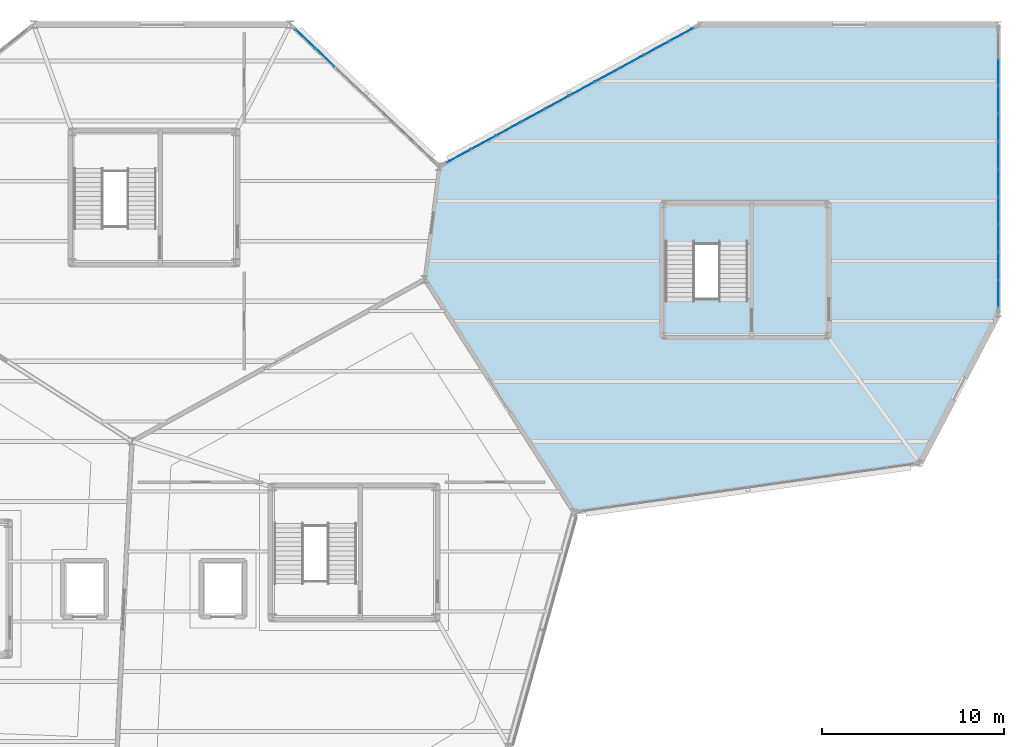
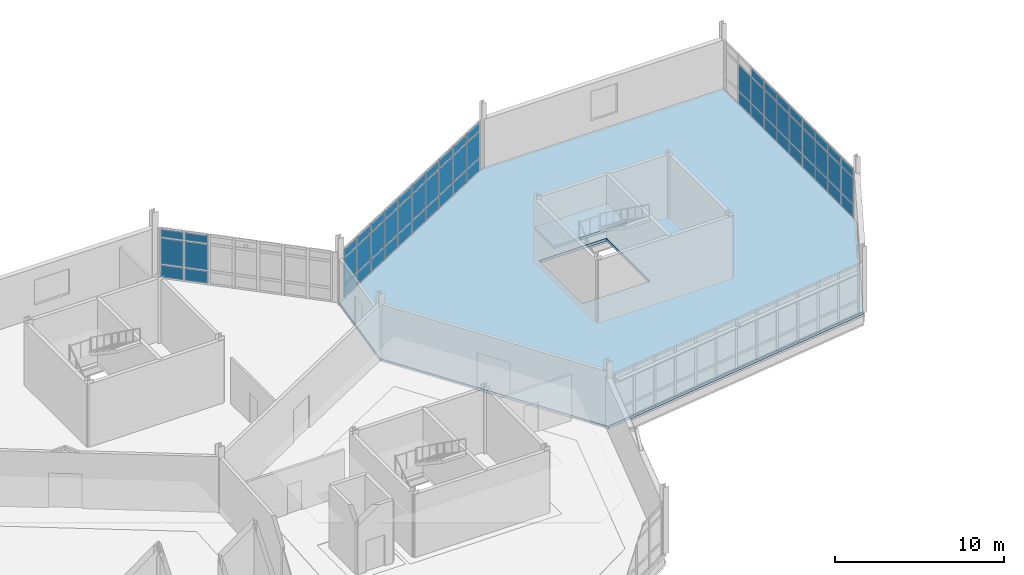
# One storey, part 101 of 134: 62 plates, 2 slabs, 4 elements without a shape of their own.
"""IFC4 building model written with IfcOpenShell, lengths in metres."""

from ifc_helpers import new_model, si_unit, direction, frame, origin, origin_2d, place, context, subcontext, project, spatial, polyline, rectangle, outline, extrude, material, layer, layer_set, type_object, element, aggregate, save


model = new_model("IFC4")

# Units and contexts
model_context = context("Model", 3, precision=1e-05, world=origin(), true_north=direction((0.0, 1.0)))
body_context = subcontext(model_context, "Body", "Model", "MODEL_VIEW")
ifc_project = project(units=[si_unit("LENGTHUNIT", "METRE"), si_unit("AREAUNIT", "SQUARE_METRE"), si_unit("VOLUMEUNIT", "CUBIC_METRE"), si_unit("PLANEANGLEUNIT", "RADIAN"), si_unit("MASSUNIT", "GRAM", prefix="KILO")], contexts=[model_context])

# Site, building, storey
site_placement = place(None, origin())
site = spatial("IfcSite", under=ifc_project, at=site_placement, CompositionType="ELEMENT")
building_placement = place(site_placement, origin())
building = spatial("IfcBuilding", under=site, at=building_placement, Name="Tameran Prism Museum", CompositionType="ELEMENT")
storey_placement = place(building_placement, frame((0.0, 0.0, 5.39990234375)))
storey = spatial("IfcBuildingStorey", under=building, at=storey_placement, Name="L01", CompositionType="ELEMENT", Elevation=5.39990234375)

# Curtain wall, plates
ifc_material_1 = material(Name="Anodised Aluminium 6063-T6 and Cyclone Solar Glass", Category="aluminium")
curtain_wall_type_1 = type_object("IfcCurtainWallType", Name="CW-FAC-1520x362", PredefinedType="USERDEFINED", material=ifc_material_1)
curtain_wall_1_placement = place(storey_placement, origin())
curtain_wall_1 = element("IfcCurtainWall", 1, at=curtain_wall_1_placement, inside=storey, type_object=curtain_wall_type_1, Name="Unitised Curtain Wall CW-060", ObjectType="UNITISED CURTAIN WALL", PredefinedType="USERDEFINED")
ifc_material_2 = material(Name="Low-E Laminated Solar Glass", Category="glass")
ifc_layer_1 = layer(ifc_material_2, 0.028076171875)
ifc_layer_set_1 = layer_set([ifc_layer_1])
plate_type_1 = type_object("IfcPlateType", Name="CW-PNL-G28", PredefinedType="CURTAIN_PANEL", material=ifc_layer_set_1)
plate_1_placement = place(storey_placement, frame((166.39990234375, 109.3701171875, 0.070068359375), z_axis=(0.0, 0.0, 1.0), x_axis=(0.0, -1.0, 0.0)))
plate_1 = element("IfcPlate", 2, at=plate_1_placement, type_object=plate_type_1, Name="CW-060 panel 2.1", PredefinedType="CURTAIN_PANEL", context=body_context, shape_type="SweptSolid", body=[
    extrude(rectangle(XDim=1.449951171875, YDim=0.028076171875, at=origin_2d()), origin(), (0.0, 0.0, 1.0), 0.89501953125),
])
plate_2_placement = place(storey_placement, frame((166.39990234375, 109.3701171875, 1.03515625), z_axis=(0.0, 0.0, 1.0), x_axis=(0.0, -1.0, 0.0)))
plate_2 = element("IfcPlate", 3, at=plate_2_placement, type_object=plate_type_1, Name="CW-060 panel 2.2", PredefinedType="CURTAIN_PANEL", context=body_context, shape_type="SweptSolid", body=[
    extrude(rectangle(XDim=1.449951171875, YDim=0.028076171875, at=origin_2d()), origin(), (0.0, 0.0, 1.0), 1.8701171875),
])
plate_3_placement = place(storey_placement, frame((166.39990234375, 107.85009765625, 0.070068359375), z_axis=(0.0, 0.0, 1.0), x_axis=(0.0, -1.0, 0.0)))
plate_3 = element("IfcPlate", 4, at=plate_3_placement, type_object=plate_type_1, Name="CW-060 panel 3.1", PredefinedType="CURTAIN_PANEL", context=body_context, shape_type="SweptSolid", body=[
    extrude(rectangle(XDim=1.449951171875, YDim=0.028076171875, at=origin_2d()), origin(), (0.0, 0.0, 1.0), 0.89501953125),
])
plate_4_placement = place(storey_placement, frame((166.39990234375, 107.85009765625, 1.03515625), z_axis=(0.0, 0.0, 1.0), x_axis=(0.0, -1.0, 0.0)))
plate_4 = element("IfcPlate", 5, at=plate_4_placement, type_object=plate_type_1, Name="CW-060 panel 3.2", PredefinedType="CURTAIN_PANEL", context=body_context, shape_type="SweptSolid", body=[
    extrude(rectangle(XDim=1.449951171875, YDim=0.028076171875, at=origin_2d()), origin(), (0.0, 0.0, 1.0), 1.8701171875),
])
plate_5_placement = place(storey_placement, frame((166.39990234375, 107.85009765625, 2.97509765625), z_axis=(0.0, 0.0, 1.0), x_axis=(0.0, -1.0, 0.0)))
plate_5 = element("IfcPlate", 6, at=plate_5_placement, type_object=plate_type_1, Name="CW-060 panel 3.3", PredefinedType="CURTAIN_PANEL", context=body_context, shape_type="SweptSolid", body=[
    extrude(rectangle(XDim=1.449951171875, YDim=0.028076171875, at=origin_2d()), origin(), (0.0, 0.0, 1.0), 0.574951171875),
])
plate_6_placement = place(storey_placement, frame((166.39990234375, 106.330078125, 0.070068359375), z_axis=(0.0, 0.0, 1.0), x_axis=(0.0, -1.0, 0.0)))
plate_6 = element("IfcPlate", 7, at=plate_6_placement, type_object=plate_type_1, Name="CW-060 panel 4.1", PredefinedType="CURTAIN_PANEL", context=body_context, shape_type="SweptSolid", body=[
    extrude(rectangle(XDim=1.449951171875, YDim=0.028076171875, at=origin_2d()), origin(), (0.0, 0.0, 1.0), 0.89501953125),
])
plate_7_placement = place(storey_placement, frame((166.39990234375, 106.330078125, 1.03515625), z_axis=(0.0, 0.0, 1.0), x_axis=(0.0, -1.0, 0.0)))
plate_7 = element("IfcPlate", 8, at=plate_7_placement, type_object=plate_type_1, Name="CW-060 panel 4.2", PredefinedType="CURTAIN_PANEL", context=body_context, shape_type="SweptSolid", body=[
    extrude(rectangle(XDim=1.449951171875, YDim=0.028076171875, at=origin_2d()), origin(), (0.0, 0.0, 1.0), 1.8701171875),
])
plate_8_placement = place(storey_placement, frame((166.39990234375, 106.330078125, 2.97509765625), z_axis=(0.0, 0.0, 1.0), x_axis=(0.0, -1.0, 0.0)))
plate_8 = element("IfcPlate", 9, at=plate_8_placement, type_object=plate_type_1, Name="CW-060 panel 4.3", PredefinedType="CURTAIN_PANEL", context=body_context, shape_type="SweptSolid", body=[
    extrude(rectangle(XDim=1.449951171875, YDim=0.028076171875, at=origin_2d()), origin(), (0.0, 0.0, 1.0), 0.574951171875),
])
plate_9_placement = place(storey_placement, frame((166.39990234375, 104.81005859375, 0.070068359375), z_axis=(0.0, 0.0, 1.0), x_axis=(0.0, -1.0, 0.0)))
plate_9 = element("IfcPlate", 10, at=plate_9_placement, type_object=plate_type_1, Name="CW-060 panel 5.1", PredefinedType="CURTAIN_PANEL", context=body_context, shape_type="SweptSolid", body=[
    extrude(rectangle(XDim=1.449951171875, YDim=0.028076171875, at=origin_2d()), origin(), (0.0, 0.0, 1.0), 0.89501953125),
])
plate_10_placement = place(storey_placement, frame((166.39990234375, 104.81005859375, 1.03515625), z_axis=(0.0, 0.0, 1.0), x_axis=(0.0, -1.0, 0.0)))
plate_10 = element("IfcPlate", 11, at=plate_10_placement, type_object=plate_type_1, Name="CW-060 panel 5.2", PredefinedType="CURTAIN_PANEL", context=body_context, shape_type="SweptSolid", body=[
    extrude(rectangle(XDim=1.449951171875, YDim=0.028076171875, at=origin_2d()), origin(), (0.0, 0.0, 1.0), 1.8701171875),
])
plate_11_placement = place(storey_placement, frame((166.39990234375, 104.81005859375, 2.97509765625), z_axis=(0.0, 0.0, 1.0), x_axis=(0.0, -1.0, 0.0)))
plate_11 = element("IfcPlate", 12, at=plate_11_placement, type_object=plate_type_1, Name="CW-060 panel 5.3", PredefinedType="CURTAIN_PANEL", context=body_context, shape_type="SweptSolid", body=[
    extrude(rectangle(XDim=1.449951171875, YDim=0.028076171875, at=origin_2d()), origin(), (0.0, 0.0, 1.0), 0.574951171875),
])
plate_12_placement = place(storey_placement, frame((166.39990234375, 103.2900390625, 0.070068359375), z_axis=(0.0, 0.0, 1.0), x_axis=(0.0, -1.0, 0.0)))
plate_12 = element("IfcPlate", 13, at=plate_12_placement, type_object=plate_type_1, Name="CW-060 panel 6.1", PredefinedType="CURTAIN_PANEL", context=body_context, shape_type="SweptSolid", body=[
    extrude(rectangle(XDim=1.449951171875, YDim=0.028076171875, at=origin_2d()), origin(), (0.0, 0.0, 1.0), 0.89501953125),
])
plate_13_placement = place(storey_placement, frame((166.39990234375, 103.2900390625, 1.03515625), z_axis=(0.0, 0.0, 1.0), x_axis=(0.0, -1.0, 0.0)))
plate_13 = element("IfcPlate", 14, at=plate_13_placement, type_object=plate_type_1, Name="CW-060 panel 6.2", PredefinedType="CURTAIN_PANEL", context=body_context, shape_type="SweptSolid", body=[
    extrude(rectangle(XDim=1.449951171875, YDim=0.028076171875, at=origin_2d()), origin(), (0.0, 0.0, 1.0), 1.8701171875),
])
plate_14_placement = place(storey_placement, frame((166.39990234375, 103.2900390625, 2.97509765625), z_axis=(0.0, 0.0, 1.0), x_axis=(0.0, -1.0, 0.0)))
plate_14 = element("IfcPlate", 15, at=plate_14_placement, type_object=plate_type_1, Name="CW-060 panel 6.3", PredefinedType="CURTAIN_PANEL", context=body_context, shape_type="SweptSolid", body=[
    extrude(rectangle(XDim=1.449951171875, YDim=0.028076171875, at=origin_2d()), origin(), (0.0, 0.0, 1.0), 0.574951171875),
])
plate_15_placement = place(storey_placement, frame((166.39990234375, 101.77001953125, 0.070068359375), z_axis=(0.0, 0.0, 1.0), x_axis=(0.0, -1.0, 0.0)))
plate_15 = element("IfcPlate", 16, at=plate_15_placement, type_object=plate_type_1, Name="CW-060 panel 7.1", PredefinedType="CURTAIN_PANEL", context=body_context, shape_type="SweptSolid", body=[
    extrude(rectangle(XDim=1.449951171875, YDim=0.028076171875, at=origin_2d()), origin(), (0.0, 0.0, 1.0), 0.89501953125),
])
plate_16_placement = place(storey_placement, frame((166.39990234375, 101.77001953125, 1.03515625), z_axis=(0.0, 0.0, 1.0), x_axis=(0.0, -1.0, 0.0)))
plate_16 = element("IfcPlate", 17, at=plate_16_placement, type_object=plate_type_1, Name="CW-060 panel 7.2", PredefinedType="CURTAIN_PANEL", context=body_context, shape_type="SweptSolid", body=[
    extrude(rectangle(XDim=1.449951171875, YDim=0.028076171875, at=origin_2d()), origin(), (0.0, 0.0, 1.0), 1.8701171875),
])
plate_17_placement = place(storey_placement, frame((166.39990234375, 101.77001953125, 2.97509765625), z_axis=(0.0, 0.0, 1.0), x_axis=(0.0, -1.0, 0.0)))
plate_17 = element("IfcPlate", 18, at=plate_17_placement, type_object=plate_type_1, Name="CW-060 panel 7.3", PredefinedType="CURTAIN_PANEL", context=body_context, shape_type="SweptSolid", body=[
    extrude(rectangle(XDim=1.449951171875, YDim=0.028076171875, at=origin_2d()), origin(), (0.0, 0.0, 1.0), 0.574951171875),
])
plate_18_placement = place(storey_placement, frame((166.39990234375, 100.25, 0.070068359375), z_axis=(0.0, 0.0, 1.0), x_axis=(0.0, -1.0, 0.0)))
plate_18 = element("IfcPlate", 19, at=plate_18_placement, type_object=plate_type_1, Name="CW-060 panel 8.1", PredefinedType="CURTAIN_PANEL", context=body_context, shape_type="SweptSolid", body=[
    extrude(rectangle(XDim=1.449951171875, YDim=0.028076171875, at=origin_2d()), origin(), (0.0, 0.0, 1.0), 0.89501953125),
])
plate_19_placement = place(storey_placement, frame((166.39990234375, 100.25, 1.03515625), z_axis=(0.0, 0.0, 1.0), x_axis=(0.0, -1.0, 0.0)))
plate_19 = element("IfcPlate", 20, at=plate_19_placement, type_object=plate_type_1, Name="CW-060 panel 8.2", PredefinedType="CURTAIN_PANEL", context=body_context, shape_type="SweptSolid", body=[
    extrude(rectangle(XDim=1.449951171875, YDim=0.028076171875, at=origin_2d()), origin(), (0.0, 0.0, 1.0), 1.8701171875),
])
plate_20_placement = place(storey_placement, frame((166.39990234375, 100.25, 2.97509765625), z_axis=(0.0, 0.0, 1.0), x_axis=(0.0, -1.0, 0.0)))
plate_20 = element("IfcPlate", 21, at=plate_20_placement, type_object=plate_type_1, Name="CW-060 panel 8.3", PredefinedType="CURTAIN_PANEL", context=body_context, shape_type="SweptSolid", body=[
    extrude(rectangle(XDim=1.449951171875, YDim=0.028076171875, at=origin_2d()), origin(), (0.0, 0.0, 1.0), 0.574951171875),
])
plate_21_placement = place(storey_placement, frame((166.39990234375, 98.72998046875, 0.070068359375), z_axis=(0.0, 0.0, 1.0), x_axis=(0.0, -1.0, 0.0)))
plate_21 = element("IfcPlate", 22, at=plate_21_placement, type_object=plate_type_1, Name="CW-060 panel 9.1", PredefinedType="CURTAIN_PANEL", context=body_context, shape_type="SweptSolid", body=[
    extrude(rectangle(XDim=1.449951171875, YDim=0.028076171875, at=origin_2d()), origin(), (0.0, 0.0, 1.0), 0.89501953125),
])
plate_22_placement = place(storey_placement, frame((166.39990234375, 98.72998046875, 1.03515625), z_axis=(0.0, 0.0, 1.0), x_axis=(0.0, -1.0, 0.0)))
plate_22 = element("IfcPlate", 23, at=plate_22_placement, type_object=plate_type_1, Name="CW-060 panel 9.2", PredefinedType="CURTAIN_PANEL", context=body_context, shape_type="SweptSolid", body=[
    extrude(rectangle(XDim=1.449951171875, YDim=0.028076171875, at=origin_2d()), origin(), (0.0, 0.0, 1.0), 1.8701171875),
])
plate_23_placement = place(storey_placement, frame((166.39990234375, 98.72998046875, 2.97509765625), z_axis=(0.0, 0.0, 1.0), x_axis=(0.0, -1.0, 0.0)))
plate_23 = element("IfcPlate", 24, at=plate_23_placement, type_object=plate_type_1, Name="CW-060 panel 9.3", PredefinedType="CURTAIN_PANEL", context=body_context, shape_type="SweptSolid", body=[
    extrude(rectangle(XDim=1.449951171875, YDim=0.028076171875, at=origin_2d()), origin(), (0.0, 0.0, 1.0), 0.574951171875),
])
plate_24_placement = place(storey_placement, frame((166.39990234375, 97.2275390625, 0.070068359375), z_axis=(0.0, 0.0, 1.0), x_axis=(0.0, -1.0, 0.0)))
plate_24 = element("IfcPlate", 25, at=plate_24_placement, type_object=plate_type_1, Name="CW-060 panel 10.1", PredefinedType="CURTAIN_PANEL", context=body_context, shape_type="SweptSolid", body=[
    extrude(rectangle(XDim=1.4150390625, YDim=0.028076171875, at=origin_2d()), origin(), (0.0, 0.0, 1.0), 0.89501953125),
])
plate_25_placement = place(storey_placement, frame((166.39990234375, 97.2275390625, 1.03515625), z_axis=(0.0, 0.0, 1.0), x_axis=(0.0, -1.0, 0.0)))
plate_25 = element("IfcPlate", 26, at=plate_25_placement, type_object=plate_type_1, Name="CW-060 panel 10.2", PredefinedType="CURTAIN_PANEL", context=body_context, shape_type="SweptSolid", body=[
    extrude(rectangle(XDim=1.4150390625, YDim=0.028076171875, at=origin_2d()), origin(), (0.0, 0.0, 1.0), 1.8701171875),
])
plate_26_placement = place(storey_placement, frame((166.39990234375, 97.2275390625, 2.97509765625), z_axis=(0.0, 0.0, 1.0), x_axis=(0.0, -1.0, 0.0)))
plate_26 = element("IfcPlate", 27, at=plate_26_placement, type_object=plate_type_1, Name="CW-060 panel 10.3", PredefinedType="CURTAIN_PANEL", context=body_context, shape_type="SweptSolid", body=[
    extrude(rectangle(XDim=1.4150390625, YDim=0.028076171875, at=origin_2d()), origin(), (0.0, 0.0, 1.0), 0.574951171875),
])
aggregate(curtain_wall_1, [plate_1, plate_2, plate_3, plate_4, plate_5, plate_6, plate_7, plate_8, plate_9, plate_10, plate_11, plate_12, plate_13, plate_14, plate_15, plate_16, plate_17, plate_18, plate_19, plate_20, plate_21, plate_22, plate_23, plate_24, plate_25, plate_26])

ifc_material_3 = material(Name="Anodised Aluminium 6063-T6 and Cyclone Solar Glass", Category="aluminium")
curtain_wall_type_2 = type_object("IfcCurtainWallType", Name="CW-FAC-1056x362", PredefinedType="USERDEFINED", material=ifc_material_3)
curtain_wall_2_placement = place(storey_placement, origin())
curtain_wall_2 = element("IfcCurtainWall", 28, at=curtain_wall_2_placement, inside=storey, type_object=curtain_wall_type_2, Name="Unitised Curtain Wall CW-057", ObjectType="UNITISED CURTAIN WALL", PredefinedType="USERDEFINED")
ifc_material_4 = material(Name="Cyclone Laminated Solar Glass", Category="glass")
ifc_layer_2 = layer(ifc_material_4, 0.031982421875)
ifc_layer_set_2 = layer_set([ifc_layer_2])
plate_type_2 = type_object("IfcPlateType", Name="CW-PNL-G32", PredefinedType="CURTAIN_PANEL", material=ifc_layer_set_2)
plate_27_placement = place(storey_placement, frame((128.31396484375, 111.226318359375, 0.0751953125), z_axis=(0.0, 0.0, 1.0), x_axis=(0.724504990922, -0.689269554042, 0.0)))
plate_27 = element("IfcPlate", 29, at=plate_27_placement, type_object=plate_type_2, Name="CW-057 panel 1.1", PredefinedType="CURTAIN_PANEL", context=body_context, shape_type="SweptSolid", body=[
    extrude(rectangle(XDim=1.395751953125, YDim=0.031982421875, at=origin_2d()), origin(), (0.0, 0.0, 1.0), 0.887451171875),
])
plate_28_placement = place(storey_placement, frame((128.31396484375, 111.226318359375, 1.03759765625), z_axis=(0.0, 0.0, 1.0), x_axis=(0.724504990922, -0.689269554042, 0.0)))
plate_28 = element("IfcPlate", 30, at=plate_28_placement, type_object=plate_type_2, Name="CW-057 panel 1.2", PredefinedType="CURTAIN_PANEL", context=body_context, shape_type="SweptSolid", body=[
    extrude(rectangle(XDim=1.395751953125, YDim=0.031982421875, at=origin_2d()), origin(), (0.0, 0.0, 1.0), 1.864990234375),
])
plate_29_placement = place(storey_placement, frame((128.31396484375, 111.226318359375, 2.9775390625), z_axis=(0.0, 0.0, 1.0), x_axis=(0.724504990922, -0.689269554042, 0.0)))
plate_29 = element("IfcPlate", 31, at=plate_29_placement, type_object=plate_type_2, Name="CW-057 panel 1.3", PredefinedType="CURTAIN_PANEL", context=body_context, shape_type="SweptSolid", body=[
    extrude(rectangle(XDim=1.395751953125, YDim=0.031982421875, at=origin_2d()), origin(), (0.0, 0.0, 1.0), 0.5673828125),
])
plate_30_placement = place(storey_placement, frame((129.39306640625, 110.19970703125, 0.0751953125), z_axis=(0.0, 0.0, 1.0), x_axis=(0.724504990922, -0.689269554042, 0.0)))
plate_30 = element("IfcPlate", 32, at=plate_30_placement, type_object=plate_type_2, Name="CW-057 panel 2.1", PredefinedType="CURTAIN_PANEL", context=body_context, shape_type="SweptSolid", body=[
    extrude(rectangle(XDim=1.43310546875, YDim=0.031982421875, at=origin_2d()), origin(), (0.0, 0.0, 1.0), 0.887451171875),
])
plate_31_placement = place(storey_placement, frame((129.39306640625, 110.19970703125, 1.03759765625), z_axis=(0.0, 0.0, 1.0), x_axis=(0.724504990922, -0.689269554042, 0.0)))
plate_31 = element("IfcPlate", 33, at=plate_31_placement, type_object=plate_type_2, Name="CW-057 panel 2.2", PredefinedType="CURTAIN_PANEL", context=body_context, shape_type="SweptSolid", body=[
    extrude(rectangle(XDim=1.43310546875, YDim=0.031982421875, at=origin_2d()), origin(), (0.0, 0.0, 1.0), 1.864990234375),
])
plate_32_placement = place(storey_placement, frame((129.39306640625, 110.19970703125, 2.9775390625), z_axis=(0.0, 0.0, 1.0), x_axis=(0.724504990922, -0.689269554042, 0.0)))
plate_32 = element("IfcPlate", 34, at=plate_32_placement, type_object=plate_type_2, Name="CW-057 panel 2.3", PredefinedType="CURTAIN_PANEL", context=body_context, shape_type="SweptSolid", body=[
    extrude(rectangle(XDim=1.43310546875, YDim=0.031982421875, at=origin_2d()), origin(), (0.0, 0.0, 1.0), 0.5673828125),
])
aggregate(curtain_wall_2, [plate_27, plate_28, plate_29, plate_30, plate_31, plate_32])

ifc_material_5 = material(Name="Anodised Aluminium 6063-T6 and Cyclone Solar Glass", Category="aluminium")
curtain_wall_type_3 = type_object("IfcCurtainWallType", Name="CW-FAC-1553x362", PredefinedType="USERDEFINED", material=ifc_material_5)
curtain_wall_3_placement = place(storey_placement, origin())
curtain_wall_3 = element("IfcCurtainWall", 35, at=curtain_wall_3_placement, inside=storey, type_object=curtain_wall_type_3, Name="Unitised Curtain Wall CW-061", ObjectType="UNITISED CURTAIN WALL", PredefinedType="USERDEFINED")
plate_33_placement = place(storey_placement, frame((136.758056640625, 104.77783203125, 0.0751953125), z_axis=(0.0, 0.0, 1.0), x_axis=(0.877927564486, 0.478793474805, 0.0)))
plate_33 = element("IfcPlate", 36, at=plate_33_placement, type_object=plate_type_2, Name="CW-061 panel 1.1", PredefinedType="CURTAIN_PANEL", context=body_context, shape_type="SweptSolid", body=[
    extrude(rectangle(XDim=1.4404296875, YDim=0.031982421875, at=origin_2d()), origin(), (0.0, 0.0, 1.0), 0.887451171875),
])
plate_34_placement = place(storey_placement, frame((136.758056640625, 104.77783203125, 1.03759765625), z_axis=(0.0, 0.0, 1.0), x_axis=(0.877927564486, 0.478793474805, 0.0)))
plate_34 = element("IfcPlate", 37, at=plate_34_placement, type_object=plate_type_2, Name="CW-061 panel 1.2", PredefinedType="CURTAIN_PANEL", context=body_context, shape_type="SweptSolid", body=[
    extrude(rectangle(XDim=1.4404296875, YDim=0.031982421875, at=origin_2d()), origin(), (0.0, 0.0, 1.0), 1.864990234375),
])
plate_35_placement = place(storey_placement, frame((136.758056640625, 104.77783203125, 2.9775390625), z_axis=(0.0, 0.0, 1.0), x_axis=(0.877927564486, 0.478793474805, 0.0)))
plate_35 = element("IfcPlate", 38, at=plate_35_placement, type_object=plate_type_2, Name="CW-061 panel 1.3", PredefinedType="CURTAIN_PANEL", context=body_context, shape_type="SweptSolid", body=[
    extrude(rectangle(XDim=1.4404296875, YDim=0.031982421875, at=origin_2d()), origin(), (0.0, 0.0, 1.0), 0.5673828125),
])
plate_36_placement = place(storey_placement, frame((138.10498046875, 105.51220703125, 0.0751953125), z_axis=(0.0, 0.0, 1.0), x_axis=(0.877927564486, 0.478793474805, 0.0)))
plate_36 = element("IfcPlate", 39, at=plate_36_placement, type_object=plate_type_2, Name="CW-061 panel 2.1", PredefinedType="CURTAIN_PANEL", context=body_context, shape_type="SweptSolid", body=[
    extrude(rectangle(XDim=1.477783203125, YDim=0.031982421875, at=origin_2d()), origin(), (0.0, 0.0, 1.0), 0.887451171875),
])
plate_37_placement = place(storey_placement, frame((138.10498046875, 105.51220703125, 1.03759765625), z_axis=(0.0, 0.0, 1.0), x_axis=(0.877927564486, 0.478793474805, 0.0)))
plate_37 = element("IfcPlate", 40, at=plate_37_placement, type_object=plate_type_2, Name="CW-061 panel 2.2", PredefinedType="CURTAIN_PANEL", context=body_context, shape_type="SweptSolid", body=[
    extrude(rectangle(XDim=1.477783203125, YDim=0.031982421875, at=origin_2d()), origin(), (0.0, 0.0, 1.0), 1.864990234375),
])
plate_38_placement = place(storey_placement, frame((138.10498046875, 105.51220703125, 2.9775390625), z_axis=(0.0, 0.0, 1.0), x_axis=(0.877927564486, 0.478793474805, 0.0)))
plate_38 = element("IfcPlate", 41, at=plate_38_placement, type_object=plate_type_2, Name="CW-061 panel 2.3", PredefinedType="CURTAIN_PANEL", context=body_context, shape_type="SweptSolid", body=[
    extrude(rectangle(XDim=1.477783203125, YDim=0.031982421875, at=origin_2d()), origin(), (0.0, 0.0, 1.0), 0.5673828125),
])
plate_39_placement = place(storey_placement, frame((139.46826171875, 106.255859375, 0.0751953125), z_axis=(0.0, 0.0, 1.0), x_axis=(0.877927564486, 0.478793474805, 0.0)))
plate_39 = element("IfcPlate", 42, at=plate_39_placement, type_object=plate_type_2, Name="CW-061 panel 3.1", PredefinedType="CURTAIN_PANEL", context=body_context, shape_type="SweptSolid", body=[
    extrude(rectangle(XDim=1.477783203125, YDim=0.031982421875, at=origin_2d()), origin(), (0.0, 0.0, 1.0), 0.887451171875),
])
plate_40_placement = place(storey_placement, frame((139.46826171875, 106.255859375, 1.03759765625), z_axis=(0.0, 0.0, 1.0), x_axis=(0.877927564486, 0.478793474805, 0.0)))
plate_40 = element("IfcPlate", 43, at=plate_40_placement, type_object=plate_type_2, Name="CW-061 panel 3.2", PredefinedType="CURTAIN_PANEL", context=body_context, shape_type="SweptSolid", body=[
    extrude(rectangle(XDim=1.477783203125, YDim=0.031982421875, at=origin_2d()), origin(), (0.0, 0.0, 1.0), 1.864990234375),
])
plate_41_placement = place(storey_placement, frame((139.46826171875, 106.255859375, 2.9775390625), z_axis=(0.0, 0.0, 1.0), x_axis=(0.877927564486, 0.478793474805, 0.0)))
plate_41 = element("IfcPlate", 44, at=plate_41_placement, type_object=plate_type_2, Name="CW-061 panel 3.3", PredefinedType="CURTAIN_PANEL", context=body_context, shape_type="SweptSolid", body=[
    extrude(rectangle(XDim=1.477783203125, YDim=0.031982421875, at=origin_2d()), origin(), (0.0, 0.0, 1.0), 0.5673828125),
])
plate_42_placement = place(storey_placement, frame((140.83154296875, 106.999267578125, 0.0751953125), z_axis=(0.0, 0.0, 1.0), x_axis=(0.877927564486, 0.478793474805, 0.0)))
plate_42 = element("IfcPlate", 45, at=plate_42_placement, type_object=plate_type_2, Name="CW-061 panel 4.1", PredefinedType="CURTAIN_PANEL", context=body_context, shape_type="SweptSolid", body=[
    extrude(rectangle(XDim=1.477783203125, YDim=0.031982421875, at=origin_2d()), origin(), (0.0, 0.0, 1.0), 0.887451171875),
])
plate_43_placement = place(storey_placement, frame((140.83154296875, 106.999267578125, 1.03759765625), z_axis=(0.0, 0.0, 1.0), x_axis=(0.877927564486, 0.478793474805, 0.0)))
plate_43 = element("IfcPlate", 46, at=plate_43_placement, type_object=plate_type_2, Name="CW-061 panel 4.2", PredefinedType="CURTAIN_PANEL", context=body_context, shape_type="SweptSolid", body=[
    extrude(rectangle(XDim=1.477783203125, YDim=0.031982421875, at=origin_2d()), origin(), (0.0, 0.0, 1.0), 1.864990234375),
])
plate_44_placement = place(storey_placement, frame((140.83154296875, 106.999267578125, 2.9775390625), z_axis=(0.0, 0.0, 1.0), x_axis=(0.877927564486, 0.478793474805, 0.0)))
plate_44 = element("IfcPlate", 47, at=plate_44_placement, type_object=plate_type_2, Name="CW-061 panel 4.3", PredefinedType="CURTAIN_PANEL", context=body_context, shape_type="SweptSolid", body=[
    extrude(rectangle(XDim=1.477783203125, YDim=0.031982421875, at=origin_2d()), origin(), (0.0, 0.0, 1.0), 0.5673828125),
])
plate_45_placement = place(storey_placement, frame((142.19482421875, 107.74267578125, 0.0751953125), z_axis=(0.0, 0.0, 1.0), x_axis=(0.877927564486, 0.478793474805, 0.0)))
plate_45 = element("IfcPlate", 48, at=plate_45_placement, type_object=plate_type_2, Name="CW-061 panel 5.1", PredefinedType="CURTAIN_PANEL", context=body_context, shape_type="SweptSolid", body=[
    extrude(rectangle(XDim=1.477783203125, YDim=0.031982421875, at=origin_2d()), origin(), (0.0, 0.0, 1.0), 0.887451171875),
])
plate_46_placement = place(storey_placement, frame((142.19482421875, 107.74267578125, 1.03759765625), z_axis=(0.0, 0.0, 1.0), x_axis=(0.877927564486, 0.478793474805, 0.0)))
plate_46 = element("IfcPlate", 49, at=plate_46_placement, type_object=plate_type_2, Name="CW-061 panel 5.2", PredefinedType="CURTAIN_PANEL", context=body_context, shape_type="SweptSolid", body=[
    extrude(rectangle(XDim=1.477783203125, YDim=0.031982421875, at=origin_2d()), origin(), (0.0, 0.0, 1.0), 1.864990234375),
])
plate_47_placement = place(storey_placement, frame((142.19482421875, 107.74267578125, 2.9775390625), z_axis=(0.0, 0.0, 1.0), x_axis=(0.877927564486, 0.478793474805, 0.0)))
plate_47 = element("IfcPlate", 50, at=plate_47_placement, type_object=plate_type_2, Name="CW-061 panel 5.3", PredefinedType="CURTAIN_PANEL", context=body_context, shape_type="SweptSolid", body=[
    extrude(rectangle(XDim=1.477783203125, YDim=0.031982421875, at=origin_2d()), origin(), (0.0, 0.0, 1.0), 0.5673828125),
])
plate_48_placement = place(storey_placement, frame((143.55810546875, 108.486328125, 0.0751953125), z_axis=(0.0, 0.0, 1.0), x_axis=(0.877927564486, 0.478793474805, 0.0)))
plate_48 = element("IfcPlate", 51, at=plate_48_placement, type_object=plate_type_2, Name="CW-061 panel 6.1", PredefinedType="CURTAIN_PANEL", context=body_context, shape_type="SweptSolid", body=[
    extrude(rectangle(XDim=1.477783203125, YDim=0.031982421875, at=origin_2d()), origin(), (0.0, 0.0, 1.0), 0.887451171875),
])
plate_49_placement = place(storey_placement, frame((143.55810546875, 108.486328125, 1.03759765625), z_axis=(0.0, 0.0, 1.0), x_axis=(0.877927564486, 0.478793474805, 0.0)))
plate_49 = element("IfcPlate", 52, at=plate_49_placement, type_object=plate_type_2, Name="CW-061 panel 6.2", PredefinedType="CURTAIN_PANEL", context=body_context, shape_type="SweptSolid", body=[
    extrude(rectangle(XDim=1.477783203125, YDim=0.031982421875, at=origin_2d()), origin(), (0.0, 0.0, 1.0), 1.864990234375),
])
plate_50_placement = place(storey_placement, frame((143.55810546875, 108.486328125, 2.9775390625), z_axis=(0.0, 0.0, 1.0), x_axis=(0.877927564486, 0.478793474805, 0.0)))
plate_50 = element("IfcPlate", 53, at=plate_50_placement, type_object=plate_type_2, Name="CW-061 panel 6.3", PredefinedType="CURTAIN_PANEL", context=body_context, shape_type="SweptSolid", body=[
    extrude(rectangle(XDim=1.477783203125, YDim=0.031982421875, at=origin_2d()), origin(), (0.0, 0.0, 1.0), 0.5673828125),
])
plate_51_placement = place(storey_placement, frame((144.92138671875, 109.229736328125, 0.0751953125), z_axis=(0.0, 0.0, 1.0), x_axis=(0.877927564486, 0.478793474805, 0.0)))
plate_51 = element("IfcPlate", 54, at=plate_51_placement, type_object=plate_type_2, Name="CW-061 panel 7.1", PredefinedType="CURTAIN_PANEL", context=body_context, shape_type="SweptSolid", body=[
    extrude(rectangle(XDim=1.477783203125, YDim=0.031982421875, at=origin_2d()), origin(), (0.0, 0.0, 1.0), 0.887451171875),
])
plate_52_placement = place(storey_placement, frame((144.92138671875, 109.229736328125, 1.03759765625), z_axis=(0.0, 0.0, 1.0), x_axis=(0.877927564486, 0.478793474805, 0.0)))
plate_52 = element("IfcPlate", 55, at=plate_52_placement, type_object=plate_type_2, Name="CW-061 panel 7.2", PredefinedType="CURTAIN_PANEL", context=body_context, shape_type="SweptSolid", body=[
    extrude(rectangle(XDim=1.477783203125, YDim=0.031982421875, at=origin_2d()), origin(), (0.0, 0.0, 1.0), 1.864990234375),
])
plate_53_placement = place(storey_placement, frame((144.92138671875, 109.229736328125, 2.9775390625), z_axis=(0.0, 0.0, 1.0), x_axis=(0.877927564486, 0.478793474805, 0.0)))
plate_53 = element("IfcPlate", 56, at=plate_53_placement, type_object=plate_type_2, Name="CW-061 panel 7.3", PredefinedType="CURTAIN_PANEL", context=body_context, shape_type="SweptSolid", body=[
    extrude(rectangle(XDim=1.477783203125, YDim=0.031982421875, at=origin_2d()), origin(), (0.0, 0.0, 1.0), 0.5673828125),
])
plate_54_placement = place(storey_placement, frame((146.28466796875, 109.97314453125, 0.0751953125), z_axis=(0.0, 0.0, 1.0), x_axis=(0.877927564486, 0.478793474805, 0.0)))
plate_54 = element("IfcPlate", 57, at=plate_54_placement, type_object=plate_type_2, Name="CW-061 panel 8.1", PredefinedType="CURTAIN_PANEL", context=body_context, shape_type="SweptSolid", body=[
    extrude(rectangle(XDim=1.477783203125, YDim=0.031982421875, at=origin_2d()), origin(), (0.0, 0.0, 1.0), 0.887451171875),
])
plate_55_placement = place(storey_placement, frame((146.28466796875, 109.97314453125, 1.03759765625), z_axis=(0.0, 0.0, 1.0), x_axis=(0.877927564486, 0.478793474805, 0.0)))
plate_55 = element("IfcPlate", 58, at=plate_55_placement, type_object=plate_type_2, Name="CW-061 panel 8.2", PredefinedType="CURTAIN_PANEL", context=body_context, shape_type="SweptSolid", body=[
    extrude(rectangle(XDim=1.477783203125, YDim=0.031982421875, at=origin_2d()), origin(), (0.0, 0.0, 1.0), 1.864990234375),
])
plate_56_placement = place(storey_placement, frame((146.28466796875, 109.97314453125, 2.9775390625), z_axis=(0.0, 0.0, 1.0), x_axis=(0.877927564486, 0.478793474805, 0.0)))
plate_56 = element("IfcPlate", 59, at=plate_56_placement, type_object=plate_type_2, Name="CW-061 panel 8.3", PredefinedType="CURTAIN_PANEL", context=body_context, shape_type="SweptSolid", body=[
    extrude(rectangle(XDim=1.477783203125, YDim=0.031982421875, at=origin_2d()), origin(), (0.0, 0.0, 1.0), 0.5673828125),
])
plate_57_placement = place(storey_placement, frame((147.64794921875, 110.716796875, 0.0751953125), z_axis=(0.0, 0.0, 1.0), x_axis=(0.877927564486, 0.478793474805, 0.0)))
plate_57 = element("IfcPlate", 60, at=plate_57_placement, type_object=plate_type_2, Name="CW-061 panel 9.1", PredefinedType="CURTAIN_PANEL", context=body_context, shape_type="SweptSolid", body=[
    extrude(rectangle(XDim=1.477783203125, YDim=0.031982421875, at=origin_2d()), origin(), (0.0, 0.0, 1.0), 0.887451171875),
])
plate_58_placement = place(storey_placement, frame((147.64794921875, 110.716796875, 1.03759765625), z_axis=(0.0, 0.0, 1.0), x_axis=(0.877927564486, 0.478793474805, 0.0)))
plate_58 = element("IfcPlate", 61, at=plate_58_placement, type_object=plate_type_2, Name="CW-061 panel 9.2", PredefinedType="CURTAIN_PANEL", context=body_context, shape_type="SweptSolid", body=[
    extrude(rectangle(XDim=1.477783203125, YDim=0.031982421875, at=origin_2d()), origin(), (0.0, 0.0, 1.0), 1.864990234375),
])
plate_59_placement = place(storey_placement, frame((147.64794921875, 110.716796875, 2.9775390625), z_axis=(0.0, 0.0, 1.0), x_axis=(0.877927564486, 0.478793474805, 0.0)))
plate_59 = element("IfcPlate", 62, at=plate_59_placement, type_object=plate_type_2, Name="CW-061 panel 9.3", PredefinedType="CURTAIN_PANEL", context=body_context, shape_type="SweptSolid", body=[
    extrude(rectangle(XDim=1.477783203125, YDim=0.031982421875, at=origin_2d()), origin(), (0.0, 0.0, 1.0), 0.5673828125),
])
plate_60_placement = place(storey_placement, frame((148.994873046875, 111.451171875, 0.0751953125), z_axis=(0.0, 0.0, 1.0), x_axis=(0.877927564486, 0.478793474805, 0.0)))
plate_60 = element("IfcPlate", 63, at=plate_60_placement, type_object=plate_type_2, Name="CW-061 panel 10.1", PredefinedType="CURTAIN_PANEL", context=body_context, shape_type="SweptSolid", body=[
    extrude(rectangle(XDim=1.4404296875, YDim=0.031982421875, at=origin_2d()), origin(), (0.0, 0.0, 1.0), 0.887451171875),
])
plate_61_placement = place(storey_placement, frame((148.994873046875, 111.451171875, 1.03759765625), z_axis=(0.0, 0.0, 1.0), x_axis=(0.877927564486, 0.478793474805, 0.0)))
plate_61 = element("IfcPlate", 64, at=plate_61_placement, type_object=plate_type_2, Name="CW-061 panel 10.2", PredefinedType="CURTAIN_PANEL", context=body_context, shape_type="SweptSolid", body=[
    extrude(rectangle(XDim=1.4404296875, YDim=0.031982421875, at=origin_2d()), origin(), (0.0, 0.0, 1.0), 1.864990234375),
])
plate_62_placement = place(storey_placement, frame((148.994873046875, 111.451171875, 2.9775390625), z_axis=(0.0, 0.0, 1.0), x_axis=(0.877927564486, 0.478793474805, 0.0)))
plate_62 = element("IfcPlate", 65, at=plate_62_placement, type_object=plate_type_2, Name="CW-061 panel 10.3", PredefinedType="CURTAIN_PANEL", context=body_context, shape_type="SweptSolid", body=[
    extrude(rectangle(XDim=1.4404296875, YDim=0.031982421875, at=origin_2d()), origin(), (0.0, 0.0, 1.0), 0.5673828125),
])
aggregate(curtain_wall_3, [plate_33, plate_34, plate_35, plate_36, plate_37, plate_38, plate_39, plate_40, plate_41, plate_42, plate_43, plate_44, plate_45, plate_46, plate_47, plate_48, plate_49, plate_50, plate_51, plate_52, plate_53, plate_54, plate_55, plate_56, plate_57, plate_58, plate_59, plate_60, plate_61, plate_62])

# Slab
ifc_material_6 = material(Name="Concrete N32 (32 MPa)", Category="concrete")
ifc_layer_3 = layer(ifc_material_6, 0.199951171875)
ifc_layer_set_3 = layer_set([ifc_layer_3])
slab_type_1 = type_object("IfcSlabType", Name="SL-FLR-200", PredefinedType="FLOOR", material=ifc_layer_set_3)
slab_1_placement = place(storey_placement, frame((0.0, 0.0, -0.199951171875)))
element("IfcSlab", 66, at=slab_1_placement, inside=storey, type_object=slab_type_1, Name="Floor Slab FS-P04-L01", PredefinedType="FLOOR", context=body_context, shape_type="SweptSolid", body=[
    extrude(outline(polyline([(135.699951171875, 104.199951171875), (150.0, 112.0), (166.39990234375, 112.0), (166.39990234375, 96.10009765625), (162.10009765625, 87.89990234375), (143.10009765625, 85.199951171875), (134.89990234375, 98.0), (135.699951171875, 104.199951171875)]), holes=[polyline([(152.719970703125, 102.050048828125), (148.10009765625, 102.050048828125), (148.10009765625, 96.93994140625), (152.719970703125, 96.93994140625), (152.719970703125, 102.050048828125)])]), origin(), (0.0, 0.0, 1.0), 0.199951171875),
])

# Stair, slab
ifc_material_7 = material(Name="Concrete N40 (40 MPa)", Category="concrete")
stair_type = type_object("IfcStairType", Name="ST-CORE-48", PredefinedType="HALF_TURN_STAIR", material=ifc_material_7)
stair_placement = place(storey_placement, origin())
stair = element("IfcStair", 67, at=stair_placement, inside=storey, type_object=stair_type, Name="Fire-Isolated Stair ST-11-L01", PredefinedType="HALF_TURN_STAIR")
ifc_material_8 = material(Name="Concrete N40 (40 MPa)", Category="concrete")
ifc_layer_4 = layer(ifc_material_8, 0.18505859375)
ifc_layer_set_4 = layer_set([ifc_layer_4])
slab_type_2 = type_object("IfcSlabType", Name="SL-LND-185", PredefinedType="LANDING", material=ifc_layer_set_4)
slab_2_placement = place(storey_placement, frame((0.0, 0.0, 2.215087890625)))
slab_2 = element("IfcSlab", 68, at=slab_2_placement, type_object=slab_type_2, Name="ST-11-L01 landing 1", PredefinedType="LANDING", context=body_context, shape_type="SweptSolid", body=[
    extrude(outline(polyline([(147.8798828125, 99.9150390625), (152.8701171875, 99.9150390625), (152.8701171875, 102.219970703125), (147.8798828125, 102.219970703125), (147.8798828125, 99.9150390625)])), origin(), (0.0, 0.0, 1.0), 0.18505859375),
])
aggregate(stair, [slab_2])

save(model, "model.ifc")
